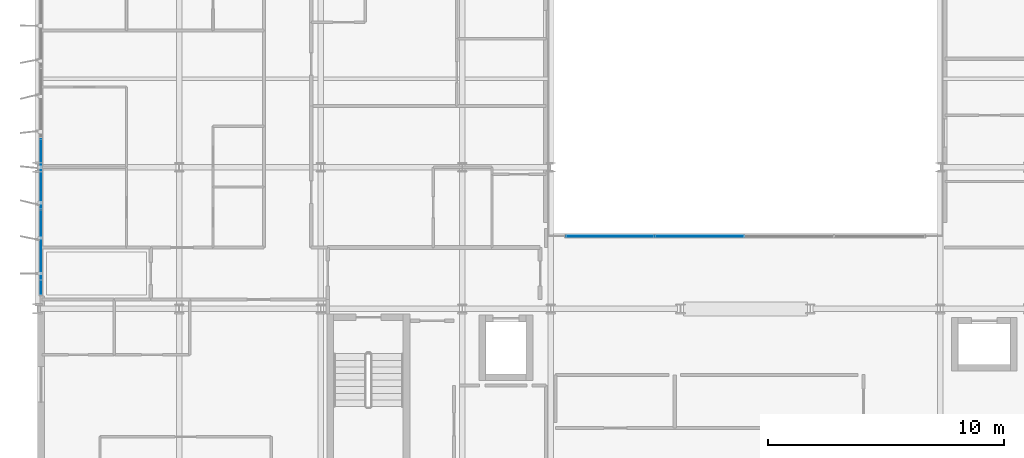
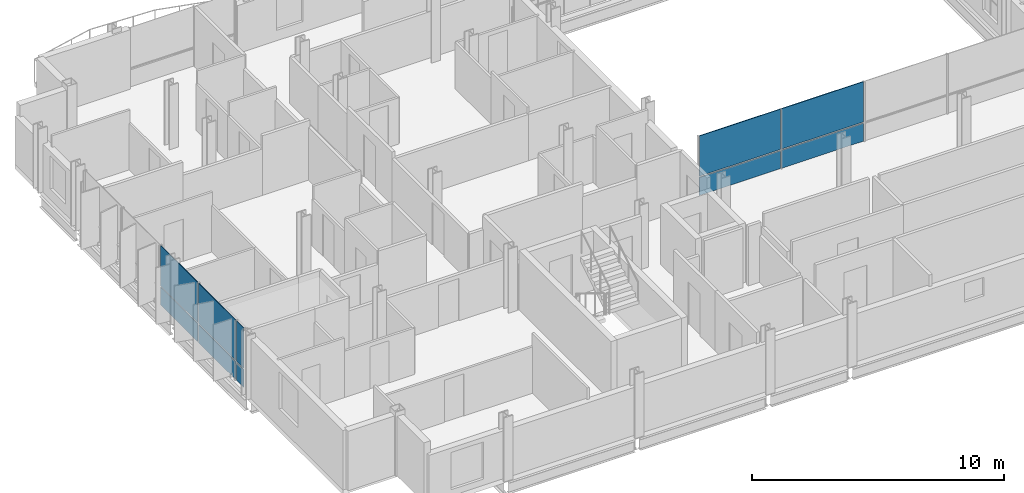
# One storey, part 22 of 38: 10 plates, 2 elements without a shape of their own.
"""IFC4 building model written with IfcOpenShell, lengths in metres."""

from ifc_helpers import new_model, si_unit, direction, frame, origin, origin_2d, place, context, subcontext, project, spatial, rectangle, extrude, material, layer, layer_set, type_object, element, aggregate, save


model = new_model("IFC4")

# Units and contexts
model_context = context("Model", 3, precision=1e-05, world=origin(), true_north=direction((0.0, 1.0)))
body_context = subcontext(model_context, "Body", "Model", "MODEL_VIEW")
ifc_project = project(units=[si_unit("LENGTHUNIT", "METRE"), si_unit("AREAUNIT", "SQUARE_METRE"), si_unit("VOLUMEUNIT", "CUBIC_METRE"), si_unit("PLANEANGLEUNIT", "RADIAN"), si_unit("MASSUNIT", "GRAM", prefix="KILO")], contexts=[model_context])

# Site, building, storey
site_placement = place(None, origin())
site = spatial("IfcSite", under=ifc_project, at=site_placement, CompositionType="ELEMENT")
building_placement = place(site_placement, origin())
building = spatial("IfcBuilding", under=site, at=building_placement, Name="Brevholm Reach", CompositionType="ELEMENT")
storey_placement = place(building_placement, frame((0.0, 0.0, 122.10009765625)))
storey = spatial("IfcBuildingStorey", under=building, at=storey_placement, Name="L36", CompositionType="ELEMENT", Elevation=122.10009765625)

# Curtain wall, plates
ifc_material_1 = material(Name="Dark Anodised Aluminium 6063-T6 and Solar-Control Glass", Category="aluminium")
ifc_layer_1 = layer(ifc_material_1, 0.14990234375)
ifc_layer_set_1 = layer_set([ifc_layer_1], Name="Dark Anodised Aluminium 6063-T6 and Solar-Control Glass")
curtain_wall_type_1 = type_object("IfcCurtainWallType", Name="CW-01", PredefinedType="NOTDEFINED", material=ifc_layer_set_1)
curtain_wall_1_placement = place(storey_placement, origin())
curtain_wall_1 = element("IfcCurtainWall", 1, at=curtain_wall_1_placement, inside=storey, type_object=curtain_wall_type_1, Name="L36 Curtain Wall CW-01", PredefinedType="NOTDEFINED")
ifc_material_2 = material(Name="Dark Solar-Control Double-Glazed IGU Glass", Category="glass")
ifc_layer_2 = layer(ifc_material_2, 0.028076171875)
ifc_layer_set_2 = layer_set([ifc_layer_2], Name="Dark Solar-Control Double-Glazed IGU Glass")
plate_type_1 = type_object("IfcPlateType", Name="CWP-GLZ-28", PredefinedType="CURTAIN_PANEL", material=ifc_layer_set_2)
plate_1_placement = place(storey_placement, frame((0.14990234375, 15.719970703125, 0.0), z_axis=(0.0, 0.0, 1.0), x_axis=(0.0, -1.0, 0.0)))
plate_1 = element("IfcPlate", 2, at=plate_1_placement, type_object=plate_type_1, Name="CP-01 Glazing Panel 3.1", PredefinedType="CURTAIN_PANEL", context=body_context, shape_type="SweptSolid", body=[
    extrude(rectangle(XDim=2.93505859375, YDim=0.028076171875, at=origin_2d()), origin(), (0.0, 0.0, 1.0), 0.867431640625),
])
plate_2_placement = place(storey_placement, frame((0.14990234375, 15.719970703125, 0.9326171875), z_axis=(0.0, 0.0, 1.0), x_axis=(0.0, -1.0, 0.0)))
plate_2 = element("IfcPlate", 3, at=plate_2_placement, type_object=plate_type_1, Name="CP-01 Glazing Panel 3.2", PredefinedType="CURTAIN_PANEL", context=body_context, shape_type="SweptSolid", body=[
    extrude(rectangle(XDim=2.93505859375, YDim=0.028076171875, at=origin_2d()), origin(), (0.0, 0.0, 1.0), 1.947509765625),
])
plate_3_placement = place(storey_placement, frame((0.14990234375, 12.719970703125, 0.0), z_axis=(0.0, 0.0, 1.0), x_axis=(0.0, -1.0, 0.0)))
plate_3 = element("IfcPlate", 4, at=plate_3_placement, type_object=plate_type_1, Name="CP-01 Glazing Panel 4.1", PredefinedType="CURTAIN_PANEL", context=body_context, shape_type="SweptSolid", body=[
    extrude(rectangle(XDim=2.93505859375, YDim=0.028076171875, at=origin_2d()), origin(), (0.0, 0.0, 1.0), 0.867431640625),
])
plate_4_placement = place(storey_placement, frame((0.14990234375, 12.719970703125, 0.9326171875), z_axis=(0.0, 0.0, 1.0), x_axis=(0.0, -1.0, 0.0)))
plate_4 = element("IfcPlate", 5, at=plate_4_placement, type_object=plate_type_1, Name="CP-01 Glazing Panel 4.2", PredefinedType="CURTAIN_PANEL", context=body_context, shape_type="SweptSolid", body=[
    extrude(rectangle(XDim=2.93505859375, YDim=0.028076171875, at=origin_2d()), origin(), (0.0, 0.0, 1.0), 1.947509765625),
])
plate_5_placement = place(storey_placement, frame((0.14990234375, 10.9013671875, 0.0), z_axis=(0.0, 0.0, 1.0), x_axis=(0.0, -1.0, 0.0)))
plate_5 = element("IfcPlate", 6, at=plate_5_placement, type_object=plate_type_1, Name="CP-01 Glazing Panel 5.1", PredefinedType="CURTAIN_PANEL", context=body_context, shape_type="SweptSolid", body=[
    extrude(rectangle(XDim=0.572509765625, YDim=0.028076171875, at=origin_2d()), origin(), (0.0, 0.0, 1.0), 0.867431640625),
])
plate_6_placement = place(storey_placement, frame((0.14990234375, 10.9013671875, 0.9326171875), z_axis=(0.0, 0.0, 1.0), x_axis=(0.0, -1.0, 0.0)))
plate_6 = element("IfcPlate", 7, at=plate_6_placement, type_object=plate_type_1, Name="CP-01 Glazing Panel 5.2", PredefinedType="CURTAIN_PANEL", context=body_context, shape_type="SweptSolid", body=[
    extrude(rectangle(XDim=0.572509765625, YDim=0.028076171875, at=origin_2d()), origin(), (0.0, 0.0, 1.0), 1.947509765625),
])
aggregate(curtain_wall_1, [plate_1, plate_2, plate_3, plate_4, plate_5, plate_6])

ifc_material_3 = material(Name="Dark Anodised Aluminium 6063-T6 and Solar-Control Glass", Category="aluminium")
ifc_layer_3 = layer(ifc_material_3, 0.139892578125)
ifc_layer_set_3 = layer_set([ifc_layer_3], Name="Dark Anodised Aluminium 6063-T6 and Solar-Control Glass")
curtain_wall_type_2 = type_object("IfcCurtainWallType", Name="CW-02", PredefinedType="NOTDEFINED", material=ifc_layer_set_3)
curtain_wall_2_placement = place(storey_placement, origin())
curtain_wall_2 = element("IfcCurtainWall", 8, at=curtain_wall_2_placement, inside=storey, type_object=curtain_wall_type_2, Name="L36 Curtain Wall CW-02", PredefinedType="NOTDEFINED")
ifc_material_4 = material(Name="Low-Iron Laminated Acoustic Glass", Category="glass")
ifc_layer_4 = layer(ifc_material_4, 0.035888671875)
ifc_layer_set_4 = layer_set([ifc_layer_4], Name="Low-Iron Laminated Acoustic Glass")
plate_type_2 = type_object("IfcPlateType", Name="CWP-GLZ-36", PredefinedType="CURTAIN_PANEL", material=ifc_layer_set_4)
plate_7_placement = place(storey_placement, frame((24.264892578125, 13.080078125, -0.000244140625), z_axis=(0.0, 0.0, 1.0), x_axis=(1.0, 0.0, 0.0)))
plate_7 = element("IfcPlate", 9, at=plate_7_placement, type_object=plate_type_2, Name="CP-02 Glazing Panel 1.1", PredefinedType="CURTAIN_PANEL", context=body_context, shape_type="SweptSolid", body=[
    extrude(rectangle(XDim=3.7099609375, YDim=0.035888671875, at=origin_2d()), origin(), (0.0, 0.0, 1.0), 0.8701171875),
])
plate_8_placement = place(storey_placement, frame((24.264892578125, 13.080078125, 0.9296875), z_axis=(0.0, 0.0, 1.0), x_axis=(1.0, 0.0, 0.0)))
plate_8 = element("IfcPlate", 10, at=plate_8_placement, type_object=plate_type_2, Name="CP-02 Glazing Panel 1.2", PredefinedType="CURTAIN_PANEL", context=body_context, shape_type="SweptSolid", body=[
    extrude(rectangle(XDim=3.7099609375, YDim=0.035888671875, at=origin_2d()), origin(), (0.0, 0.0, 1.0), 1.949951171875),
])
plate_9_placement = place(storey_placement, frame((28.050048828125, 13.080078125, -0.000244140625), z_axis=(0.0, 0.0, 1.0), x_axis=(1.0, 0.0, 0.0)))
plate_9 = element("IfcPlate", 11, at=plate_9_placement, type_object=plate_type_2, Name="CP-02 Glazing Panel 2.1", PredefinedType="CURTAIN_PANEL", context=body_context, shape_type="SweptSolid", body=[
    extrude(rectangle(XDim=3.739990234375, YDim=0.035888671875, at=origin_2d()), origin(), (0.0, 0.0, 1.0), 0.8701171875),
])
plate_10_placement = place(storey_placement, frame((28.050048828125, 13.080078125, 0.9296875), z_axis=(0.0, 0.0, 1.0), x_axis=(1.0, 0.0, 0.0)))
plate_10 = element("IfcPlate", 12, at=plate_10_placement, type_object=plate_type_2, Name="CP-02 Glazing Panel 2.2", PredefinedType="CURTAIN_PANEL", context=body_context, shape_type="SweptSolid", body=[
    extrude(rectangle(XDim=3.739990234375, YDim=0.035888671875, at=origin_2d()), origin(), (0.0, 0.0, 1.0), 1.949951171875),
])
aggregate(curtain_wall_2, [plate_7, plate_8, plate_9, plate_10])

save(model, "model.ifc")
